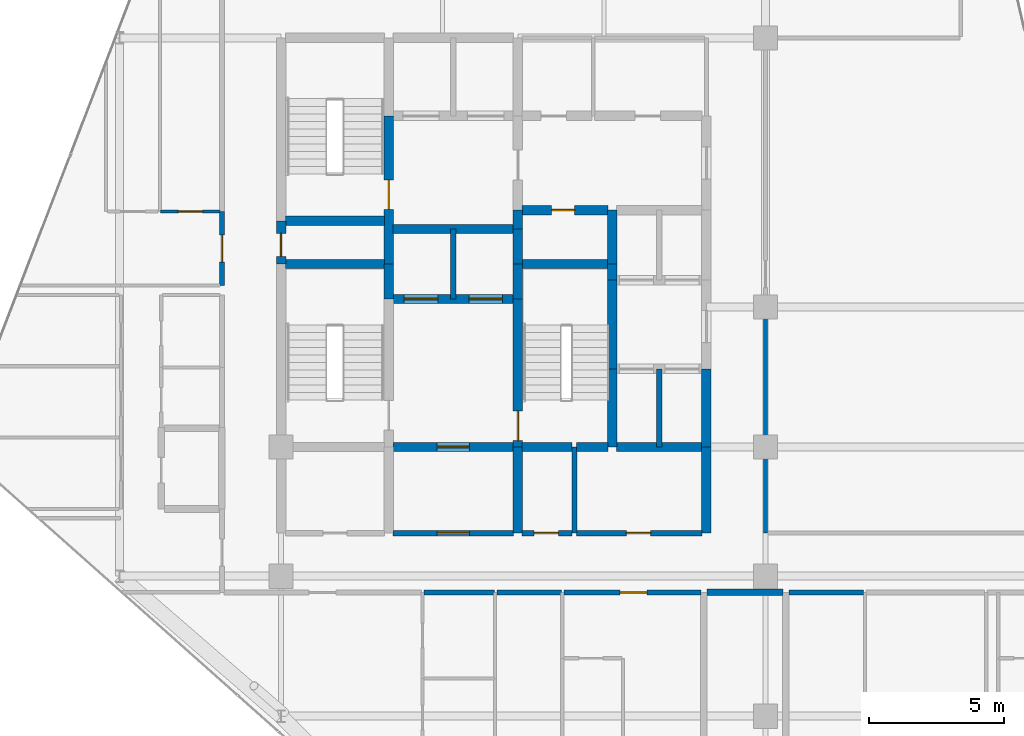
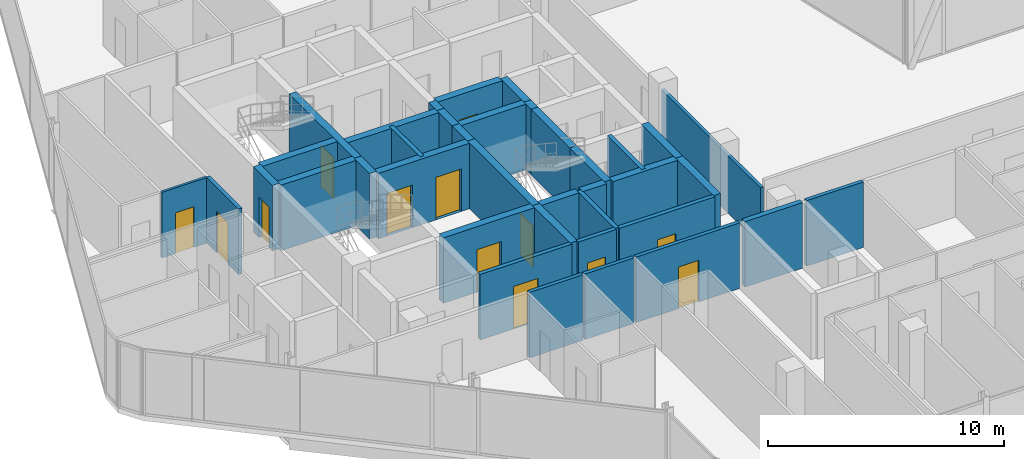
# One storey, part 24 of 29: 38 walls, 13 doors, 13 openings.
"""IFC4 building model written with IfcOpenShell, lengths in metres."""

from ifc_helpers import new_model, si_unit, direction, frame, frame_2d, origin, place, context, subcontext, project, spatial, rectangle, extrude, material, layer, layer_set, type_object, element, fill, save


model = new_model("IFC4")

# Units and contexts
model_context = context("Model", 3, precision=1e-05, world=origin(), true_north=direction((0.0, 1.0)))
body_context = subcontext(model_context, "Body", "Model", "MODEL_VIEW")
ifc_project = project(units=[si_unit("LENGTHUNIT", "METRE"), si_unit("AREAUNIT", "SQUARE_METRE"), si_unit("VOLUMEUNIT", "CUBIC_METRE"), si_unit("PLANEANGLEUNIT", "RADIAN"), si_unit("MASSUNIT", "GRAM", prefix="KILO")], contexts=[model_context])

# Site, building, storey
site_placement = place(None, origin())
site = spatial("IfcSite", under=ifc_project, at=site_placement, CompositionType="ELEMENT")
building_placement = place(site_placement, origin())
building = spatial("IfcBuilding", under=site, at=building_placement, Name="Keshet Zoharim Tower", CompositionType="ELEMENT")
storey_placement = place(building_placement, frame((0.0, 0.0, 176.5)))
storey = spatial("IfcBuildingStorey", under=building, at=storey_placement, Name="L43", CompositionType="ELEMENT", Elevation=176.5)

# Wall
ifc_material_1 = material(Name="Gypsum Plasterboard", Category="gypsum")
ifc_layer_1 = layer(ifc_material_1, 0.14990234375)
ifc_layer_set_1 = layer_set([ifc_layer_1], Name="Gypsum Plasterboard")
wall_type_1 = type_object("IfcWallType", Name="WL-CLIN-150", PredefinedType="STANDARD", material=ifc_layer_set_1)
wall_1_placement = place(storey_placement, frame((33.0, 19.510009765625, 0.0), z_axis=(0.0, 0.0, 1.0), x_axis=(0.0, 1.0, 0.0)))
element("IfcWall", 1, at=wall_1_placement, inside=storey, type_object=wall_type_1, Name="L43 Interior Wall 068", PredefinedType="STANDARD", context=body_context, shape_type="SweptSolid", body=[
    extrude(rectangle(XDim=8.389892578125, YDim=0.14990234375, at=frame_2d((4.19482421875, 0.0))), origin(), (0.0, 0.0, 1.0), 2.989990234375),
])

# Wall, opening, door
ifc_material_2 = material(Name="Concrete C60/75", Category="concrete")
ifc_layer_2 = layer(ifc_material_2, 0.35009765625)
ifc_layer_set_2 = layer_set([ifc_layer_2], Name="Concrete C60/75")
wall_type_2 = type_object("IfcWallType", Name="WL-CORE-350", PredefinedType="SHEAR", material=ifc_layer_set_2)
wall_2_placement = place(storey_placement, frame((15.0, 29.5, 0.0), z_axis=(0.0, 0.0, 1.0), x_axis=(0.0, 1.0, 0.0)))
wall_2 = element("IfcWall", 2, at=wall_2_placement, inside=storey, type_object=wall_type_2, Name="L43 Core Shear Wall 015", PredefinedType="SHEAR", context=body_context, shape_type="SweptSolid", body=[
    extrude(rectangle(XDim=1.60009765625, YDim=0.35009765625, at=frame_2d((0.800048828125, 0.0))), origin(), (0.0, 0.0, 1.0), 3.389892578125),
])
opening_1_placement = place(wall_2_placement, frame((0.287109375, 0.0, 0.0)))
opening_1 = element("IfcOpeningElement", 3, at=opening_1_placement, cuts=wall_2, Name="Opening D-RS85", PredefinedType="OPENING", context=body_context, shape_type="SweptSolid", body=[
    extrude(rectangle(XDim=0.85009765625, YDim=2.10009765625, at=frame_2d((0.425048828125, 1.050048828125))), frame((0.0, 0.18505859375, 0.0), z_axis=(0.0, -1.0, 0.0), x_axis=(1.0, 0.0, 0.0)), (0.0, 0.0, 1.0), 0.3701171875),
])
ifc_material_3 = material(Name="Hardwood Timber", Category="wood")
door_type_1 = type_object("IfcDoorType", Name="DR-RIS-085", OperationType="NOTDEFINED", PredefinedType="DOOR", material=ifc_material_3)
door_1_placement = place(opening_1_placement, origin())
door_1 = element("IfcDoor", 4, at=door_1_placement, inside=storey, type_object=door_type_1, Name="L43 Electrical Riser Access Cupboard Door", OperationType="SINGLE_SWING_LEFT", OverallHeight=2.10009765625, OverallWidth=0.85009765625, PredefinedType="DOOR", context=body_context, shape_type="SweptSolid", body=[
    extrude(rectangle(XDim=0.85009765625, YDim=2.10009765625, at=frame_2d((0.425048828125, 1.050048828125))), frame((0.0, 0.02490234375, 0.0), z_axis=(0.0, -1.0, 0.0), x_axis=(1.0, 0.0, 0.0)), (0.0, 0.0, 1.0), 0.050048828125),
])
fill(opening_1, door_1)

# Wall
wall_3_placement = place(storey_placement, frame((19.0, 28.199951171875, 0.0), z_axis=(0.0, 0.0, 1.0), x_axis=(0.0, 1.0, 0.0)))
element("IfcWall", 5, at=wall_3_placement, inside=storey, type_object=wall_type_2, Name="L43 Core Shear Wall 023", PredefinedType="SHEAR", context=body_context, shape_type="SweptSolid", body=[
    extrude(rectangle(XDim=1.300048828125, YDim=0.35009765625, at=frame_2d((0.64990234375, 0.0))), origin(), (0.0, 0.0, 1.0), 3.389892578125),
])

# Wall, opening, door
wall_4_placement = place(storey_placement, frame((19.0, 29.5, 0.0), z_axis=(0.0, 0.0, 1.0), x_axis=(0.0, 1.0, 0.0)))
wall_4 = element("IfcWall", 6, at=wall_4_placement, inside=storey, type_object=wall_type_2, Name="L43 Core Shear Wall 024", PredefinedType="SHEAR", context=body_context, shape_type="SweptSolid", body=[
    extrude(rectangle(XDim=5.5, YDim=0.35009765625, at=frame_2d((2.75, 0.0))), origin(), (0.0, 0.0, 1.0), 3.389892578125),
])
opening_2_placement = place(wall_4_placement, frame((2.02490234375, 0.0, 0.0)))
opening_2 = element("IfcOpeningElement", 7, at=opening_2_placement, cuts=wall_4, Name="Opening D-F611", PredefinedType="OPENING", context=body_context, shape_type="SweptSolid", body=[
    extrude(rectangle(XDim=1.10009765625, YDim=2.14990234375, at=frame_2d((0.550048828125, 1.074951171875))), frame((0.0, 0.18505859375, 0.0), z_axis=(0.0, -1.0, 0.0), x_axis=(1.0, 0.0, 0.0)), (0.0, 0.0, 1.0), 0.3701171875),
])
door_type_2 = type_object("IfcDoorType", Name="DR-FD60-110", OperationType="NOTDEFINED", PredefinedType="DOOR", material=ifc_material_3)
door_2_placement = place(opening_2_placement, origin())
door_2 = element("IfcDoor", 8, at=door_2_placement, inside=storey, type_object=door_type_2, Name="L43 Exit Stair ST-02 Fire Door", OperationType="SINGLE_SWING_LEFT", OverallHeight=2.14990234375, OverallWidth=1.10009765625, PredefinedType="DOOR", context=body_context, shape_type="SweptSolid", body=[
    extrude(rectangle(XDim=1.10009765625, YDim=2.14990234375, at=frame_2d((0.550048828125, 1.074951171875))), frame((0.0, 0.02490234375, 0.0), z_axis=(0.0, -1.0, 0.0), x_axis=(1.0, 0.0, 0.0)), (0.0, 0.0, 1.0), 0.050048828125),
])
fill(opening_2, door_2)

# Wall
wall_5_placement = place(storey_placement, frame((23.800048828125, 19.5, 0.0), z_axis=(0.0, 0.0, 1.0), x_axis=(0.0, 1.0, 0.0)))
element("IfcWall", 9, at=wall_5_placement, inside=storey, type_object=wall_type_2, Name="L43 Core Shear Wall 033", PredefinedType="SHEAR", context=body_context, shape_type="SweptSolid", body=[
    extrude(rectangle(XDim=3.199951171875, YDim=0.35009765625, at=frame_2d((1.60009765625, 0.0))), origin(), (0.0, 0.0, 1.0), 3.389892578125),
])

# Wall, opening, door
wall_6_placement = place(storey_placement, frame((23.800048828125, 22.699951171875, 0.0), z_axis=(0.0, 0.0, 1.0), x_axis=(0.0, 1.0, 0.0)))
wall_6 = element("IfcWall", 10, at=wall_6_placement, inside=storey, type_object=wall_type_2, Name="L43 Core Shear Wall 034", PredefinedType="SHEAR", context=body_context, shape_type="SweptSolid", body=[
    extrude(rectangle(XDim=5.5, YDim=0.35009765625, at=frame_2d((2.75, 0.0))), origin(), (0.0, 0.0, 1.0), 3.389892578125),
])
opening_3_placement = place(wall_6_placement, frame((0.235107421875, 0.0, 0.0)))
opening_3 = element("IfcOpeningElement", 11, at=opening_3_placement, cuts=wall_6, Name="Opening D-F611", PredefinedType="OPENING", context=body_context, shape_type="SweptSolid", body=[
    extrude(rectangle(XDim=1.10009765625, YDim=2.14990234375, at=frame_2d((0.550048828125, 1.074951171875))), frame((0.0, 0.18505859375, 0.0), z_axis=(0.0, -1.0, 0.0), x_axis=(1.0, 0.0, 0.0)), (0.0, 0.0, 1.0), 0.3701171875),
])
door_3_placement = place(opening_3_placement, frame((1.10009765625, 0.0, 0.0), z_axis=(0.0, 0.0, 1.0), x_axis=(-1.0, 0.0, 0.0)))
door_3 = element("IfcDoor", 12, at=door_3_placement, inside=storey, type_object=door_type_2, Name="L43 Exit Stair ST-03 Fire Door", OperationType="SINGLE_SWING_RIGHT", OverallHeight=2.14990234375, OverallWidth=1.10009765625, PredefinedType="DOOR", context=body_context, shape_type="SweptSolid", body=[
    extrude(rectangle(XDim=1.10009765625, YDim=2.14990234375, at=frame_2d((0.550048828125, 1.074951171875))), frame((0.0, 0.02490234375, 0.0), z_axis=(0.0, -1.0, 0.0), x_axis=(1.0, 0.0, 0.0)), (0.0, 0.0, 1.0), 0.050048828125),
])
fill(opening_3, door_3)

# Walls
for number, where, z_axis, x_axis, name in (
    (13, (23.800048828125, 28.199951171875, 0.0), (0.0, 0.0, 1.0), (0.0, 1.0, 0.0), "L43 Core Shear Wall 035"),
    (14, (23.800048828125, 29.5, 0.0), (0.0, 0.0, 1.0), (0.0, 1.0, 0.0), "L43 Core Shear Wall 036"),
):
    element("IfcWall", number, at=place(storey_placement, frame(where, z_axis=z_axis, x_axis=x_axis)), inside=storey, type_object=wall_type_2, Name=name, PredefinedType="SHEAR", context=body_context, shape_type="SweptSolid", body=[
        extrude(rectangle(XDim=1.300048828125, YDim=0.35009765625, at=frame_2d((0.64990234375, 0.0))), origin(), (0.0, 0.0, 1.0), 3.389892578125),
    ])
wall_7_placement = place(storey_placement, frame((23.800048828125, 30.800048828125, 0.0), z_axis=(0.0, 0.0, 1.0), x_axis=(0.0, 1.0, 0.0)))
element("IfcWall", 15, at=wall_7_placement, inside=storey, type_object=wall_type_2, Name="L43 Core Shear Wall 037", PredefinedType="SHEAR", context=body_context, shape_type="SweptSolid", body=[
    extrude(rectangle(XDim=0.699951171875, YDim=0.35009765625, at=frame_2d((0.35009765625, 0.0))), origin(), (0.0, 0.0, 1.0), 3.389892578125),
])
wall_8_placement = place(storey_placement, frame((27.300048828125, 22.699951171875, 0.0), z_axis=(0.0, 0.0, 1.0), x_axis=(0.0, 1.0, 0.0)))
element("IfcWall", 16, at=wall_8_placement, inside=storey, type_object=wall_type_2, Name="L43 Core Shear Wall 047", PredefinedType="SHEAR", context=body_context, shape_type="SweptSolid", body=[
    extrude(rectangle(XDim=2.900146484375, YDim=0.35009765625, at=frame_2d((1.4501953125, 0.0))), origin(), (0.0, 0.0, 1.0), 3.389892578125),
])
wall_9_placement = place(storey_placement, frame((27.300048828125, 25.60009765625, 0.0), z_axis=(0.0, 0.0, 1.0), x_axis=(0.0, 1.0, 0.0)))
element("IfcWall", 17, at=wall_9_placement, inside=storey, type_object=wall_type_2, Name="L43 Core Shear Wall 048", PredefinedType="SHEAR", context=body_context, shape_type="SweptSolid", body=[
    extrude(rectangle(XDim=3.2998046875, YDim=0.35009765625, at=frame_2d((1.64990234375, 0.0))), origin(), (0.0, 0.0, 1.0), 3.389892578125),
])
wall_10_placement = place(storey_placement, frame((27.300048828125, 28.89990234375, 0.0), z_axis=(0.0, 0.0, 1.0), x_axis=(0.0, 1.0, 0.0)))
element("IfcWall", 18, at=wall_10_placement, inside=storey, type_object=wall_type_2, Name="L43 Core Shear Wall 049", PredefinedType="SHEAR", context=body_context, shape_type="SweptSolid", body=[
    extrude(rectangle(XDim=0.60009765625, YDim=0.35009765625, at=frame_2d((0.300048828125, 0.0))), origin(), (0.0, 0.0, 1.0), 3.389892578125),
])
wall_11_placement = place(storey_placement, frame((27.300048828125, 29.5, 0.0), z_axis=(0.0, 0.0, 1.0), x_axis=(0.0, 1.0, 0.0)))
element("IfcWall", 19, at=wall_11_placement, inside=storey, type_object=wall_type_2, Name="L43 Core Shear Wall 050", PredefinedType="SHEAR", context=body_context, shape_type="SweptSolid", body=[
    extrude(rectangle(XDim=2.0, YDim=0.35009765625, at=frame_2d((1.0, 0.0))), origin(), (0.0, 0.0, 1.0), 3.389892578125),
])
wall_12_placement = place(storey_placement, frame((30.800048828125, 19.5, 0.0), z_axis=(0.0, 0.0, 1.0), x_axis=(0.0, 1.0, 0.0)))
element("IfcWall", 20, at=wall_12_placement, inside=storey, type_object=wall_type_2, Name="L43 Core Shear Wall 059", PredefinedType="SHEAR", context=body_context, shape_type="SweptSolid", body=[
    extrude(rectangle(XDim=3.199951171875, YDim=0.35009765625, at=frame_2d((1.60009765625, 0.0))), origin(), (0.0, 0.0, 1.0), 3.389892578125),
])
wall_13_placement = place(storey_placement, frame((30.800048828125, 22.699951171875, 0.0), z_axis=(0.0, 0.0, 1.0), x_axis=(0.0, 1.0, 0.0)))
element("IfcWall", 21, at=wall_13_placement, inside=storey, type_object=wall_type_2, Name="L43 Core Shear Wall 060", PredefinedType="SHEAR", context=body_context, shape_type="SweptSolid", body=[
    extrude(rectangle(XDim=2.900146484375, YDim=0.35009765625, at=frame_2d((1.4501953125, 0.0))), origin(), (0.0, 0.0, 1.0), 3.389892578125),
])

# Wall, opening, door
wall_14_placement = place(storey_placement, frame((19.159912109375, 22.699951171875, 0.0), z_axis=(0.0, 0.0, 1.0), x_axis=(1.0, 0.0, 0.0)))
wall_14 = element("IfcWall", 22, at=wall_14_placement, inside=storey, type_object=wall_type_2, Name="L43 Core Shear Wall 132", PredefinedType="SHEAR", context=body_context, shape_type="SweptSolid", body=[
    extrude(rectangle(XDim=4.47998046875, YDim=0.35009765625, at=frame_2d((2.239990234375, 0.0))), origin(), (0.0, 0.0, 1.0), 3.389892578125),
])
opening_4_placement = place(wall_14_placement, frame((1.639892578125, 0.0, 0.0)))
opening_4 = element("IfcOpeningElement", 23, at=opening_4_placement, cuts=wall_14, Name="Opening D-F612", PredefinedType="OPENING", context=body_context, shape_type="SweptSolid", body=[
    extrude(rectangle(XDim=1.199951171875, YDim=2.199951171875, at=frame_2d((0.60009765625, 1.10009765625))), frame((0.0, 0.18505859375, 0.0), z_axis=(0.0, -1.0, 0.0), x_axis=(1.0, 0.0, 0.0)), (0.0, 0.0, 1.0), 0.3701171875),
])
door_type_3 = type_object("IfcDoorType", Name="DR-FD60-120", OperationType="NOTDEFINED", PredefinedType="DOOR", material=ifc_material_3)
door_4_placement = place(opening_4_placement, origin())
door_4 = element("IfcDoor", 24, at=door_4_placement, inside=storey, type_object=door_type_3, Name="L43 South Core Lobby Fire Door", OperationType="SINGLE_SWING_LEFT", OverallHeight=2.199951171875, OverallWidth=1.199951171875, PredefinedType="DOOR", context=body_context, shape_type="SweptSolid", body=[
    extrude(rectangle(XDim=1.199951171875, YDim=2.199951171875, at=frame_2d((0.60009765625, 1.10009765625))), frame((0.0, 0.02490234375, 0.0), z_axis=(0.0, -1.0, 0.0), x_axis=(1.0, 0.0, 0.0)), (0.0, 0.0, 1.0), 0.050048828125),
])
fill(opening_4, door_4)

# Walls
wall_15_placement = place(storey_placement, frame((23.9599609375, 22.699951171875, 0.0), z_axis=(0.0, 0.0, 1.0), x_axis=(1.0, 0.0, 0.0)))
element("IfcWall", 25, at=wall_15_placement, inside=storey, type_object=wall_type_2, Name="L43 Core Shear Wall 133", PredefinedType="SHEAR", context=body_context, shape_type="SweptSolid", body=[
    extrude(rectangle(XDim=1.85498046875, YDim=0.35009765625, at=frame_2d((0.927490234375, 0.0))), origin(), (0.0, 0.0, 1.0), 3.389892578125),
])
wall_16_placement = place(storey_placement, frame((25.985107421875, 22.699951171875, 0.0), z_axis=(0.0, 0.0, 1.0), x_axis=(1.0, 0.0, 0.0)))
element("IfcWall", 26, at=wall_16_placement, inside=storey, type_object=wall_type_2, Name="L43 Core Shear Wall 134", PredefinedType="SHEAR", context=body_context, shape_type="SweptSolid", body=[
    extrude(rectangle(XDim=1.15478515625, YDim=0.35009765625, at=frame_2d((0.577392578125, 0.0))), origin(), (0.0, 0.0, 1.0), 3.389892578125),
])
wall_17_placement = place(storey_placement, frame((27.4599609375, 22.699951171875, 0.0), z_axis=(0.0, 0.0, 1.0), x_axis=(1.0, 0.0, 0.0)))
element("IfcWall", 27, at=wall_17_placement, inside=storey, type_object=wall_type_2, Name="L43 Core Shear Wall 135", PredefinedType="SHEAR", context=body_context, shape_type="SweptSolid", body=[
    extrude(rectangle(XDim=3.179931640625, YDim=0.35009765625, at=frame_2d((1.58984375, 0.0))), origin(), (0.0, 0.0, 1.0), 3.389892578125),
])

# Wall, openings, doors
wall_18_placement = place(storey_placement, frame((19.159912109375, 28.199951171875, 0.0), z_axis=(0.0, 0.0, 1.0), x_axis=(1.0, 0.0, 0.0)))
wall_18 = element("IfcWall", 28, at=wall_18_placement, inside=storey, type_object=wall_type_2, Name="L43 Core Shear Wall 141", PredefinedType="SHEAR", context=body_context, shape_type="SweptSolid", body=[
    extrude(rectangle(XDim=4.47998046875, YDim=0.35009765625, at=frame_2d((2.239990234375, 0.0))), origin(), (0.0, 0.0, 1.0), 3.389892578125),
])
opening_5_placement = place(wall_18_placement, frame((0.4150390625, 0.0, 0.0)))
opening_5 = element("IfcOpeningElement", 29, at=opening_5_placement, cuts=wall_18, Name="Opening LD-01", PredefinedType="OPENING", context=body_context, shape_type="SweptSolid", body=[
    extrude(rectangle(XDim=1.25, YDim=2.199951171875, at=frame_2d((0.625, 1.10009765625))), frame((0.0, 0.18505859375, 0.0), z_axis=(0.0, -1.0, 0.0), x_axis=(1.0, 0.0, 0.0)), (0.0, 0.0, 1.0), 0.3701171875),
])
opening_6_placement = place(wall_18_placement, frame((2.81494140625, 0.0, 0.0)))
opening_6 = element("IfcOpeningElement", 30, at=opening_6_placement, cuts=wall_18, Name="Opening LD-01", PredefinedType="OPENING", context=body_context, shape_type="SweptSolid", body=[
    extrude(rectangle(XDim=1.25, YDim=2.199951171875, at=frame_2d((0.625, 1.10009765625))), frame((0.0, 0.18505859375, 0.0), z_axis=(0.0, -1.0, 0.0), x_axis=(1.0, 0.0, 0.0)), (0.0, 0.0, 1.0), 0.3701171875),
])
ifc_material_4 = material(Name="Steel S355", Category="steel")
door_type_4 = type_object("IfcDoorType", Name="DR-LD01-125", OperationType="DOUBLE_DOOR_SLIDING", PredefinedType="DOOR", material=ifc_material_4)
door_5_placement = place(opening_5_placement, origin())
door_5 = element("IfcDoor", 31, at=door_5_placement, inside=storey, type_object=door_type_4, Name="L43 Passenger Lift Landing Door LF-09", OperationType="DOUBLE_DOOR_SLIDING", OverallHeight=2.199951171875, OverallWidth=1.25, PredefinedType="DOOR", context=body_context, shape_type="SweptSolid", body=[
    extrude(rectangle(XDim=1.25, YDim=2.199951171875, at=frame_2d((0.625, 1.10009765625))), frame((0.0, 0.02490234375, 0.0), z_axis=(0.0, -1.0, 0.0), x_axis=(1.0, 0.0, 0.0)), (0.0, 0.0, 1.0), 0.050048828125),
])
fill(opening_5, door_5)
door_6_placement = place(opening_6_placement, origin())
door_6 = element("IfcDoor", 32, at=door_6_placement, inside=storey, type_object=door_type_4, Name="L43 Passenger Lift Landing Door LF-10", OperationType="DOUBLE_DOOR_SLIDING", OverallHeight=2.199951171875, OverallWidth=1.25, PredefinedType="DOOR", context=body_context, shape_type="SweptSolid", body=[
    extrude(rectangle(XDim=1.25, YDim=2.199951171875, at=frame_2d((0.625, 1.10009765625))), frame((0.0, 0.02490234375, 0.0), z_axis=(0.0, -1.0, 0.0), x_axis=(1.0, 0.0, 0.0)), (0.0, 0.0, 1.0), 0.050048828125),
])
fill(opening_6, door_6)

# Walls
wall_19_placement = place(storey_placement, frame((15.159912109375, 29.5, 0.0), z_axis=(0.0, 0.0, 1.0), x_axis=(1.0, 0.0, 0.0)))
element("IfcWall", 33, at=wall_19_placement, inside=storey, type_object=wall_type_2, Name="L43 Core Shear Wall 147", PredefinedType="SHEAR", context=body_context, shape_type="SweptSolid", body=[
    extrude(rectangle(XDim=3.68017578125, YDim=0.35009765625, at=frame_2d((1.840087890625, 0.0))), origin(), (0.0, 0.0, 1.0), 3.389892578125),
])
wall_20_placement = place(storey_placement, frame((23.9599609375, 29.5, 0.0), z_axis=(0.0, 0.0, 1.0), x_axis=(1.0, 0.0, 0.0)))
element("IfcWall", 34, at=wall_20_placement, inside=storey, type_object=wall_type_2, Name="L43 Core Shear Wall 148", PredefinedType="SHEAR", context=body_context, shape_type="SweptSolid", body=[
    extrude(rectangle(XDim=3.179931640625, YDim=0.35009765625, at=frame_2d((1.58984375, 0.0))), origin(), (0.0, 0.0, 1.0), 3.389892578125),
])
wall_21_placement = place(storey_placement, frame((19.159912109375, 30.800048828125, 0.0), z_axis=(0.0, 0.0, 1.0), x_axis=(1.0, 0.0, 0.0)))
element("IfcWall", 35, at=wall_21_placement, inside=storey, type_object=wall_type_2, Name="L43 Core Shear Wall 149", PredefinedType="SHEAR", context=body_context, shape_type="SweptSolid", body=[
    extrude(rectangle(XDim=4.47998046875, YDim=0.35009765625, at=frame_2d((2.239990234375, 0.0))), origin(), (0.0, 0.0, 1.0), 3.389892578125),
])
wall_22_placement = place(storey_placement, frame((15.159912109375, 31.10009765625, 0.0), z_axis=(0.0, 0.0, 1.0), x_axis=(1.0, 0.0, 0.0)))
element("IfcWall", 36, at=wall_22_placement, inside=storey, type_object=wall_type_2, Name="L43 Core Shear Wall 150", PredefinedType="SHEAR", context=body_context, shape_type="SweptSolid", body=[
    extrude(rectangle(XDim=3.68017578125, YDim=0.35009765625, at=frame_2d((1.840087890625, 0.0))), origin(), (0.0, 0.0, 1.0), 3.389892578125),
])

# Wall, opening, door
wall_23_placement = place(storey_placement, frame((23.9599609375, 31.5, 0.0), z_axis=(0.0, 0.0, 1.0), x_axis=(1.0, 0.0, 0.0)))
wall_23 = element("IfcWall", 37, at=wall_23_placement, inside=storey, type_object=wall_type_2, Name="L43 Core Shear Wall 153", PredefinedType="SHEAR", context=body_context, shape_type="SweptSolid", body=[
    extrude(rectangle(XDim=3.179931640625, YDim=0.35009765625, at=frame_2d((1.58984375, 0.0))), origin(), (0.0, 0.0, 1.0), 3.389892578125),
])
opening_7_placement = place(wall_23_placement, frame((1.093994140625, 0.0, 0.0)))
opening_7 = element("IfcOpeningElement", 38, at=opening_7_placement, cuts=wall_23, Name="Opening D-RS85", PredefinedType="OPENING", context=body_context, shape_type="SweptSolid", body=[
    extrude(rectangle(XDim=0.85009765625, YDim=2.10009765625, at=frame_2d((0.425048828125, 1.050048828125))), frame((0.0, 0.18505859375, 0.0), z_axis=(0.0, -1.0, 0.0), x_axis=(1.0, 0.0, 0.0)), (0.0, 0.0, 1.0), 0.3701171875),
])
door_7_placement = place(opening_7_placement, origin())
door_7 = element("IfcDoor", 39, at=door_7_placement, inside=storey, type_object=door_type_1, Name="L43 Telecom Riser Access Cupboard Door", OperationType="SINGLE_SWING_RIGHT", OverallHeight=2.10009765625, OverallWidth=0.85009765625, PredefinedType="DOOR", context=body_context, shape_type="SweptSolid", body=[
    extrude(rectangle(XDim=0.85009765625, YDim=2.10009765625, at=frame_2d((0.425048828125, 1.050048828125))), frame((0.0, 0.02490234375, 0.0), z_axis=(0.0, -1.0, 0.0), x_axis=(1.0, 0.0, 0.0)), (0.0, 0.0, 1.0), 0.050048828125),
])
fill(opening_7, door_7)

ifc_layer_3 = layer(ifc_material_1, 0.179931640625)
ifc_layer_set_3 = layer_set([ifc_layer_3], Name="Gypsum Plasterboard")
wall_type_3 = type_object("IfcWallType", Name="WL-CORR-180", PredefinedType="STANDARD", material=ifc_layer_set_3)
wall_24_placement = place(storey_placement, frame((12.800048828125, 28.699951171875, 0.0), z_axis=(0.0, 0.0, 1.0), x_axis=(0.0, 1.0, 0.0)))
wall_24 = element("IfcWall", 40, at=wall_24_placement, inside=storey, type_object=wall_type_3, Name="L43 Interior Wall 011", PredefinedType="STANDARD", context=body_context, shape_type="SweptSolid", body=[
    extrude(rectangle(XDim=2.75, YDim=0.179931640625, at=frame_2d((1.375, 0.0))), origin(), (0.0, 0.0, 1.0), 3.389892578125),
])
opening_8_placement = place(wall_24_placement, frame((0.875, 0.0, 0.0)))
opening_8 = element("IfcOpeningElement", 41, at=opening_8_placement, cuts=wall_24, Name="Opening D-F310", PredefinedType="OPENING", context=body_context, shape_type="SweptSolid", body=[
    extrude(rectangle(XDim=1.0, YDim=2.14990234375, at=frame_2d((0.5, 1.074951171875))), frame((0.0, 0.10009765625, 0.0), z_axis=(0.0, -1.0, 0.0), x_axis=(1.0, 0.0, 0.0)), (0.0, 0.0, 1.0), 0.199951171875),
])
door_type_5 = type_object("IfcDoorType", Name="DR-FD30-100", OperationType="NOTDEFINED", PredefinedType="DOOR", material=ifc_material_3)
door_8_placement = place(opening_8_placement, origin())
door_8 = element("IfcDoor", 42, at=door_8_placement, inside=storey, type_object=door_type_5, Name="Apartment 4308 Entrance Door", OperationType="SINGLE_SWING_RIGHT", OverallHeight=2.14990234375, OverallWidth=1.0, PredefinedType="DOOR", context=body_context, shape_type="SweptSolid", body=[
    extrude(rectangle(XDim=1.0, YDim=2.14990234375, at=frame_2d((0.5, 1.074951171875))), frame((0.0, 0.02490234375, 0.0), z_axis=(0.0, -1.0, 0.0), x_axis=(1.0, 0.0, 0.0)), (0.0, 0.0, 1.0), 0.050048828125),
])
fill(opening_8, door_8)

# Walls
wall_25_placement = place(storey_placement, frame((20.31494140625, 17.300048828125, 0.0), z_axis=(0.0, 0.0, 1.0), x_axis=(1.0, 0.0, 0.0)))
element("IfcWall", 43, at=wall_25_placement, inside=storey, type_object=wall_type_3, Name="L43 Interior Wall 111", PredefinedType="STANDARD", context=body_context, shape_type="SweptSolid", body=[
    extrude(rectangle(XDim=2.610107421875, YDim=0.179931640625, at=frame_2d((1.30517578125, 0.0))), origin(), (0.0, 0.0, 1.0), 3.389892578125),
])
wall_26_placement = place(storey_placement, frame((23.014892578125, 17.300048828125, 0.0), z_axis=(0.0, 0.0, 1.0), x_axis=(1.0, 0.0, 0.0)))
element("IfcWall", 44, at=wall_26_placement, inside=storey, type_object=wall_type_3, Name="L43 Interior Wall 112", PredefinedType="STANDARD", context=body_context, shape_type="SweptSolid", body=[
    extrude(rectangle(XDim=2.41015625, YDim=0.179931640625, at=frame_2d((1.205078125, 0.0))), origin(), (0.0, 0.0, 1.0), 3.389892578125),
])

# Wall, opening, door
wall_27_placement = place(storey_placement, frame((25.514892578125, 17.300048828125, 0.0), z_axis=(0.0, 0.0, 1.0), x_axis=(1.0, 0.0, 0.0)))
wall_27 = element("IfcWall", 45, at=wall_27_placement, inside=storey, type_object=wall_type_3, Name="L43 Interior Wall 113", PredefinedType="STANDARD", context=body_context, shape_type="SweptSolid", body=[
    extrude(rectangle(XDim=5.09521484375, YDim=0.179931640625, at=frame_2d((2.547607421875, 0.0))), origin(), (0.0, 0.0, 1.0), 3.389892578125),
])
opening_9_placement = place(wall_27_placement, frame((2.080078125, 0.0, 0.0)))
opening_9 = element("IfcOpeningElement", 46, at=opening_9_placement, cuts=wall_27, Name="Opening D-F310", PredefinedType="OPENING", context=body_context, shape_type="SweptSolid", body=[
    extrude(rectangle(XDim=1.0, YDim=2.14990234375, at=frame_2d((0.5, 1.074951171875))), frame((0.0, 0.10009765625, 0.0), z_axis=(0.0, -1.0, 0.0), x_axis=(1.0, 0.0, 0.0)), (0.0, 0.0, 1.0), 0.199951171875),
])
door_9_placement = place(opening_9_placement, origin())
door_9 = element("IfcDoor", 47, at=door_9_placement, inside=storey, type_object=door_type_5, Name="Apartment 4302 Entrance Door", OperationType="SINGLE_SWING_RIGHT", OverallHeight=2.14990234375, OverallWidth=1.0, PredefinedType="DOOR", context=body_context, shape_type="SweptSolid", body=[
    extrude(rectangle(XDim=1.0, YDim=2.14990234375, at=frame_2d((0.5, 1.074951171875))), frame((0.0, 0.02490234375, 0.0), z_axis=(0.0, -1.0, 0.0), x_axis=(1.0, 0.0, 0.0)), (0.0, 0.0, 1.0), 0.050048828125),
])
fill(opening_9, door_9)

# Walls
wall_28_placement = place(storey_placement, frame((33.863037109375, 17.300048828125, 0.0), z_axis=(0.0, 0.0, 1.0), x_axis=(1.0, 0.0, 0.0)))
element("IfcWall", 48, at=wall_28_placement, inside=storey, type_object=wall_type_3, Name="L43 Interior Wall 115", PredefinedType="STANDARD", context=body_context, shape_type="SweptSolid", body=[
    extrude(rectangle(XDim=2.77392578125, YDim=0.179931640625, at=frame_2d((1.386962890625, 0.0))), origin(), (0.0, 0.0, 1.0), 3.389892578125),
])
ifc_material_5 = material(Name="Concrete C50/60", Category="concrete")
ifc_layer_4 = layer(ifc_material_5, 0.199951171875)
ifc_layer_set_4 = layer_set([ifc_layer_4], Name="Concrete C50/60")
wall_type_4 = type_object("IfcWallType", Name="WL-FIRE-200", PredefinedType="STANDARD", material=ifc_layer_set_4)
wall_29_placement = place(storey_placement, frame((21.39990234375, 28.199951171875, 0.0), z_axis=(0.0, 0.0, 1.0), x_axis=(0.0, 1.0, 0.0)))
element("IfcWall", 49, at=wall_29_placement, inside=storey, type_object=wall_type_4, Name="L43 Interior Wall 028", PredefinedType="STANDARD", context=body_context, shape_type="SweptSolid", body=[
    extrude(rectangle(XDim=2.60009765625, YDim=0.199951171875, at=frame_2d((1.300048828125, 0.0))), origin(), (0.0, 0.0, 1.0), 3.389892578125),
])
wall_30_placement = place(storey_placement, frame((25.89990234375, 19.5, 0.0), z_axis=(0.0, 0.0, 1.0), x_axis=(0.0, 1.0, 0.0)))
element("IfcWall", 50, at=wall_30_placement, inside=storey, type_object=wall_type_4, Name="L43 Interior Wall 045", PredefinedType="STANDARD", context=body_context, shape_type="SweptSolid", body=[
    extrude(rectangle(XDim=3.199951171875, YDim=0.199951171875, at=frame_2d((1.60009765625, 0.0))), origin(), (0.0, 0.0, 1.0), 3.389892578125),
])
wall_31_placement = place(storey_placement, frame((29.050048828125, 22.699951171875, 0.0), z_axis=(0.0, 0.0, 1.0), x_axis=(0.0, 1.0, 0.0)))
element("IfcWall", 51, at=wall_31_placement, inside=storey, type_object=wall_type_4, Name="L43 Interior Wall 054", PredefinedType="STANDARD", context=body_context, shape_type="SweptSolid", body=[
    extrude(rectangle(XDim=2.900146484375, YDim=0.199951171875, at=frame_2d((1.4501953125, 0.0))), origin(), (0.0, 0.0, 1.0), 3.389892578125),
])

# Wall, opening, door
wall_32_placement = place(storey_placement, frame((19.159912109375, 19.5, 0.0), z_axis=(0.0, 0.0, 1.0), x_axis=(1.0, 0.0, 0.0)))
wall_32 = element("IfcWall", 52, at=wall_32_placement, inside=storey, type_object=wall_type_4, Name="L43 Interior Wall 124", PredefinedType="STANDARD", context=body_context, shape_type="SweptSolid", body=[
    extrude(rectangle(XDim=4.47998046875, YDim=0.199951171875, at=frame_2d((2.239990234375, 0.0))), origin(), (0.0, 0.0, 1.0), 3.389892578125),
])
opening_10_placement = place(wall_32_placement, frame((1.639892578125, 0.0, 0.0)))
opening_10 = element("IfcOpeningElement", 53, at=opening_10_placement, cuts=wall_32, Name="Opening D-F612", PredefinedType="OPENING", context=body_context, shape_type="SweptSolid", body=[
    extrude(rectangle(XDim=1.199951171875, YDim=2.199951171875, at=frame_2d((0.60009765625, 1.10009765625))), frame((0.0, 0.10986328125, 0.0), z_axis=(0.0, -1.0, 0.0), x_axis=(1.0, 0.0, 0.0)), (0.0, 0.0, 1.0), 0.219970703125),
])
door_10_placement = place(opening_10_placement, origin())
door_10 = element("IfcDoor", 54, at=door_10_placement, inside=storey, type_object=door_type_3, Name="L43 South Vestibule Corridor Door", OperationType="SINGLE_SWING_LEFT", OverallHeight=2.199951171875, OverallWidth=1.199951171875, PredefinedType="DOOR", context=body_context, shape_type="SweptSolid", body=[
    extrude(rectangle(XDim=1.199951171875, YDim=2.199951171875, at=frame_2d((0.60009765625, 1.10009765625))), frame((0.0, 0.02490234375, 0.0), z_axis=(0.0, -1.0, 0.0), x_axis=(1.0, 0.0, 0.0)), (0.0, 0.0, 1.0), 0.050048828125),
])
fill(opening_10, door_10)

wall_33_placement = place(storey_placement, frame((23.9599609375, 19.5, 0.0), z_axis=(0.0, 0.0, 1.0), x_axis=(1.0, 0.0, 0.0)))
wall_33 = element("IfcWall", 55, at=wall_33_placement, inside=storey, type_object=wall_type_4, Name="L43 Interior Wall 125", PredefinedType="STANDARD", context=body_context, shape_type="SweptSolid", body=[
    extrude(rectangle(XDim=1.85498046875, YDim=0.199951171875, at=frame_2d((0.927490234375, 0.0))), origin(), (0.0, 0.0, 1.0), 3.389892578125),
])
opening_11_placement = place(wall_33_placement, frame((0.43994140625, 0.0, 0.0)))
opening_11 = element("IfcOpeningElement", 56, at=opening_11_placement, cuts=wall_33, Name="Opening D-F690", PredefinedType="OPENING", context=body_context, shape_type="SweptSolid", body=[
    extrude(rectangle(XDim=0.89990234375, YDim=2.14990234375, at=frame_2d((0.449951171875, 1.074951171875))), frame((0.0, 0.10986328125, 0.0), z_axis=(0.0, -1.0, 0.0), x_axis=(1.0, 0.0, 0.0)), (0.0, 0.0, 1.0), 0.219970703125),
])
door_type_6 = type_object("IfcDoorType", Name="DR-FD60-090", OperationType="NOTDEFINED", PredefinedType="DOOR", material=ifc_material_3)
door_11_placement = place(opening_11_placement, origin())
door_11 = element("IfcDoor", 57, at=door_11_placement, inside=storey, type_object=door_type_6, Name="L43 Cleaners Store Door", OperationType="SINGLE_SWING_RIGHT", OverallHeight=2.14990234375, OverallWidth=0.89990234375, PredefinedType="DOOR", context=body_context, shape_type="SweptSolid", body=[
    extrude(rectangle(XDim=0.89990234375, YDim=2.14990234375, at=frame_2d((0.449951171875, 1.074951171875))), frame((0.0, 0.02490234375, 0.0), z_axis=(0.0, -1.0, 0.0), x_axis=(1.0, 0.0, 0.0)), (0.0, 0.0, 1.0), 0.050048828125),
])
fill(opening_11, door_11)

wall_34_placement = place(storey_placement, frame((25.985107421875, 19.5, 0.0), z_axis=(0.0, 0.0, 1.0), x_axis=(1.0, 0.0, 0.0)))
wall_34 = element("IfcWall", 58, at=wall_34_placement, inside=storey, type_object=wall_type_4, Name="L43 Interior Wall 126", PredefinedType="STANDARD", context=body_context, shape_type="SweptSolid", body=[
    extrude(rectangle(XDim=4.65478515625, YDim=0.199951171875, at=frame_2d((2.327392578125, 0.0))), origin(), (0.0, 0.0, 1.0), 3.389892578125),
])
opening_12_placement = place(wall_34_placement, frame((1.844970703125, 0.0, 0.0)))
opening_12 = element("IfcOpeningElement", 59, at=opening_12_placement, cuts=wall_34, Name="Opening D-F690", PredefinedType="OPENING", context=body_context, shape_type="SweptSolid", body=[
    extrude(rectangle(XDim=0.89990234375, YDim=2.14990234375, at=frame_2d((0.449951171875, 1.074951171875))), frame((0.0, 0.10986328125, 0.0), z_axis=(0.0, -1.0, 0.0), x_axis=(1.0, 0.0, 0.0)), (0.0, 0.0, 1.0), 0.219970703125),
])
door_12_placement = place(opening_12_placement, origin())
door_12 = element("IfcDoor", 60, at=door_12_placement, inside=storey, type_object=door_type_6, Name="L43 Meter Room Door", OperationType="SINGLE_SWING_LEFT", OverallHeight=2.14990234375, OverallWidth=0.89990234375, PredefinedType="DOOR", context=body_context, shape_type="SweptSolid", body=[
    extrude(rectangle(XDim=0.89990234375, YDim=2.14990234375, at=frame_2d((0.449951171875, 1.074951171875))), frame((0.0, 0.02490234375, 0.0), z_axis=(0.0, -1.0, 0.0), x_axis=(1.0, 0.0, 0.0)), (0.0, 0.0, 1.0), 0.050048828125),
])
fill(opening_12, door_12)

# Wall
ifc_layer_5 = layer(ifc_material_5, 0.25)
ifc_layer_set_5 = layer_set([ifc_layer_5], Name="Concrete C50/60")
wall_type_5 = type_object("IfcWallType", Name="WL-MAMAD-250", PredefinedType="STANDARD", material=ifc_layer_set_5)
wall_35_placement = place(storey_placement, frame((30.830078125, 17.300048828125, 0.0), z_axis=(0.0, 0.0, 1.0), x_axis=(1.0, 0.0, 0.0)))
element("IfcWall", 61, at=wall_35_placement, inside=storey, type_object=wall_type_5, Name="L43 Interior Wall 114", PredefinedType="STANDARD", context=body_context, shape_type="SweptSolid", body=[
    extrude(rectangle(XDim=2.81298828125, YDim=0.25, at=frame_2d((1.406494140625, 0.0))), origin(), (0.0, 0.0, 1.0), 3.389892578125),
])

# Wall, opening, door
ifc_layer_6 = layer(ifc_material_1, 0.1201171875)
ifc_layer_set_6 = layer_set([ifc_layer_6], Name="Gypsum Plasterboard")
wall_type_6 = type_object("IfcWallType", Name="WL-WET-120", PredefinedType="PARTITIONING", material=ifc_layer_set_6)
wall_36_placement = place(storey_placement, frame((10.52294921875, 31.449951171875, 0.0), z_axis=(0.0, 0.0, 1.0), x_axis=(1.0, 0.0, 0.0)))
wall_36 = element("IfcWall", 62, at=wall_36_placement, inside=storey, type_object=wall_type_6, Name="L43 Interior Wall 152", PredefinedType="PARTITIONING", context=body_context, shape_type="SweptSolid", body=[
    extrude(rectangle(XDim=2.2021484375, YDim=0.1201171875, at=frame_2d((1.10107421875, 0.0))), origin(), (0.0, 0.0, 1.0), 3.389892578125),
])
opening_13_placement = place(wall_36_placement, frame((0.666015625, 0.0, 0.0)))
opening_13 = element("IfcOpeningElement", 63, at=opening_13_placement, cuts=wall_36, Name="Opening D-WT90", PredefinedType="OPENING", context=body_context, shape_type="SweptSolid", body=[
    extrude(rectangle(XDim=0.89990234375, YDim=2.10009765625, at=frame_2d((0.449951171875, 1.050048828125))), frame((0.0, 0.070068359375, 0.0), z_axis=(0.0, -1.0, 0.0), x_axis=(1.0, 0.0, 0.0)), (0.0, 0.0, 1.0), 0.14013671875),
])
door_type_7 = type_object("IfcDoorType", Name="DR-WET-090", OperationType="NOTDEFINED", PredefinedType="DOOR", material=ifc_material_3)
door_13_placement = place(opening_13_placement, origin())
door_13 = element("IfcDoor", 64, at=door_13_placement, inside=storey, type_object=door_type_7, Name="Apartment 4308 Bathroom Door", OperationType="SINGLE_SWING_LEFT", OverallHeight=2.10009765625, OverallWidth=0.89990234375, PredefinedType="DOOR", context=body_context, shape_type="SweptSolid", body=[
    extrude(rectangle(XDim=0.89990234375, YDim=2.10009765625, at=frame_2d((0.449951171875, 1.050048828125))), frame((0.0, 0.02490234375, 0.0), z_axis=(0.0, -1.0, 0.0), x_axis=(1.0, 0.0, 0.0)), (0.0, 0.0, 1.0), 0.050048828125),
])
fill(opening_13, door_13)

save(model, "model.ifc")
